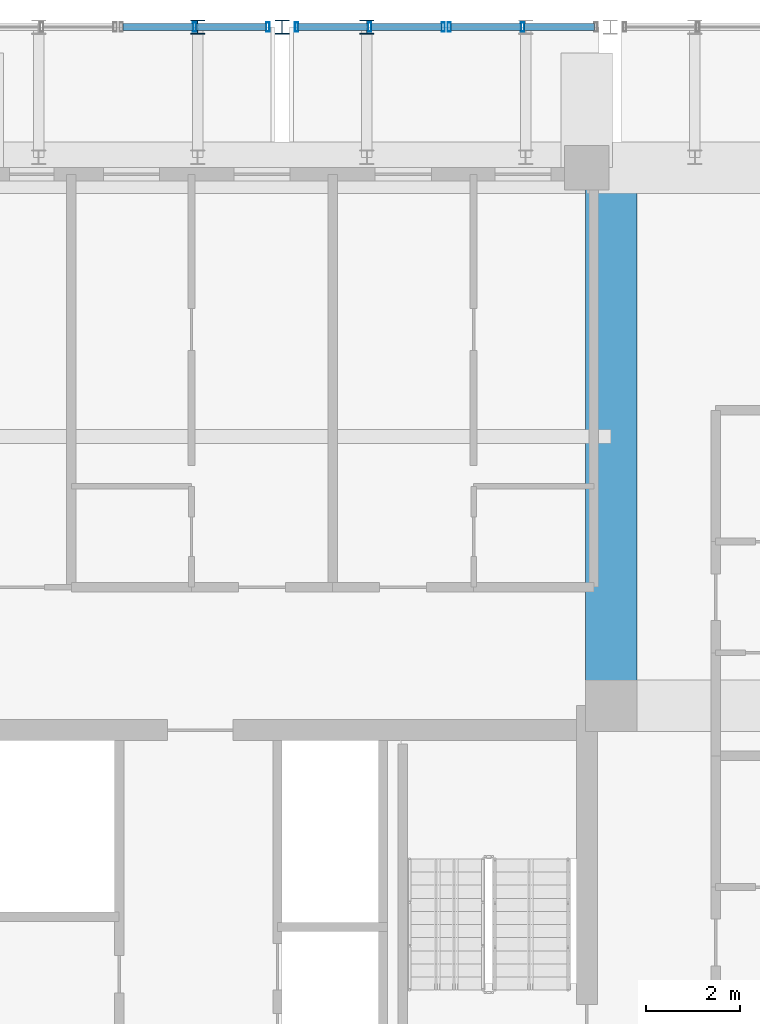
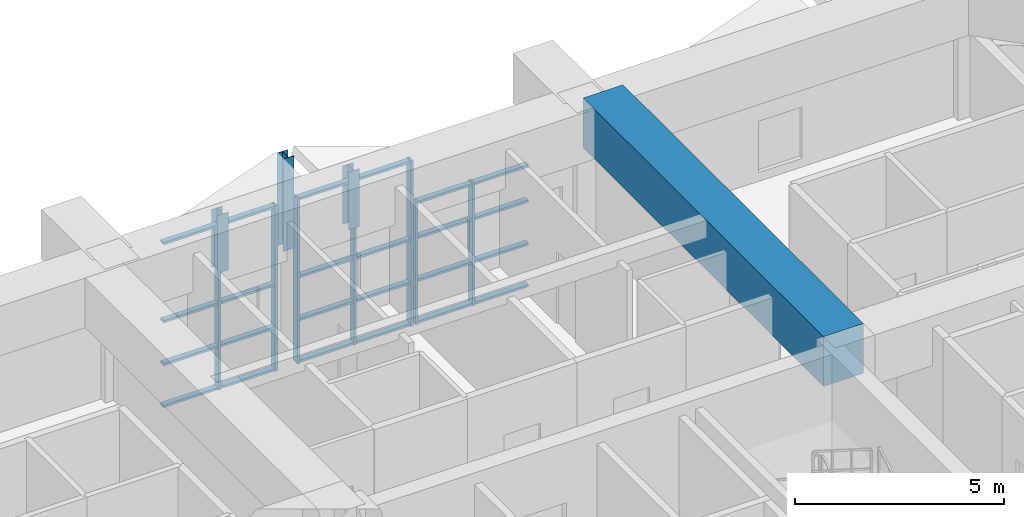
# One storey, part 24 of 45: 34 members, 1 beam, 3 elements without a shape of their own.
"""IFC4 building model written with IfcOpenShell, lengths in metres."""

import ifcopenshell
import ifcopenshell.guid

model = None  # the IFC model being written
_history = None  # IfcOwnerHistory: only IFC2X3 demands one
_inside = {}  # id of a spatial element -> (the spatial element, [elements in it])
_under = {}  # id of a project, library or spatial element -> (it, [spatial elements below it])
_declared = {}  # id of a project -> (the project, [libraries it declares])
_typed = {}  # id of a type object -> (the type object, [elements of that type])
_made_of = {}  # id of a material, layer set ... -> (it, [elements and type objects made of it])


def new_model(schema):
    """Start an empty IFC model of exactly this schema.

    Asked for "IFC4X3", IfcOpenShell would pick the latest addendum, in which some entities
    have other attributes; the version numbers below select the first issue.
    IFC2X3 requires an IfcOwnerHistory on every rooted entity: one is made here for all.
    """
    global model, _history
    if schema == "IFC4X3":
        model = ifcopenshell.file(schema_version=(4, 3, 0, 0))
    else:
        model = ifcopenshell.file(schema=schema)
    _inside.clear()
    _under.clear()
    _declared.clear()
    _typed.clear()
    _made_of.clear()
    _history = None
    if model.schema == "IFC2X3":
        org = make("IfcOrganization", Name="unknown")
        user = make(
            "IfcPersonAndOrganization",
            ThePerson=make("IfcPerson", FamilyName="unknown"),
            TheOrganization=org,
        )
        app = make(
            "IfcApplication",
            ApplicationDeveloper=org,
            Version="unknown",
            ApplicationFullName="unknown",
            ApplicationIdentifier="unknown",
        )
        _history = make(
            "IfcOwnerHistory",
            OwningUser=user,
            OwningApplication=app,
            ChangeAction="ADDED",
            CreationDate=0,
        )
    return model


def make(cls, **values):
    """One entity of the class cls with the attributes given. An attribute that is None is left unset."""
    return model.create_entity(
        cls, **{name: value for name, value in values.items() if value is not None}
    )


def rooted(cls, **values):
    """An entity with a GlobalId (a new one), such as an element, a storey or a relation."""
    return make(cls, GlobalId=ifcopenshell.guid.new(), OwnerHistory=_history, **values)


def si_unit(unit_type, name, prefix=None):
    """IfcSIUnit, for example si_unit("LENGTHUNIT", "METRE", prefix="MILLI")."""
    return make("IfcSIUnit", UnitType=unit_type, Prefix=prefix, Name=name)


def assignment(units):
    """IfcUnitAssignment: the units of a project."""
    return None if units is None else make("IfcUnitAssignment", Units=units)


def point(xyz):
    """IfcCartesianPoint."""
    return None if xyz is None else make("IfcCartesianPoint", Coordinates=xyz)


def direction(xyz):
    """IfcDirection."""
    return None if xyz is None else make("IfcDirection", DirectionRatios=xyz)


def frame(location, z_axis=None, x_axis=None):
    """IfcAxis2Placement3D, a coordinate frame: its origin and axes. An axis left out is left unset."""
    return make(
        "IfcAxis2Placement3D",
        Location=point(location),
        Axis=direction(z_axis),
        RefDirection=direction(x_axis),
    )


def frame_2d(location, x_axis=None):
    """IfcAxis2Placement2D, a coordinate frame in the plane: its origin and x axis."""
    return make(
        "IfcAxis2Placement2D", Location=point(location), RefDirection=direction(x_axis)
    )


def origin():
    """The frame at (0, 0, 0) with its axes left unset."""
    return frame((0.0, 0.0, 0.0))


def origin_2d():
    """The frame at (0, 0) in the plane with its x axis left unset."""
    return frame_2d((0.0, 0.0))


def place(relative_to, where):
    """IfcLocalPlacement: puts the frame where relative to a parent placement (None: the world)."""
    return make(
        "IfcLocalPlacement", PlacementRelTo=relative_to, RelativePlacement=where
    )


def context(
    kind, dimensions, precision=None, world=None, true_north=None, identifier=None
):
    """IfcGeometricRepresentationContext, for example the 3D "Model" context."""
    return make(
        "IfcGeometricRepresentationContext",
        ContextIdentifier=identifier,
        ContextType=kind,
        CoordinateSpaceDimension=dimensions,
        Precision=precision,
        WorldCoordinateSystem=world,
        TrueNorth=true_north,
    )


def subcontext(parent, identifier, kind, view, scale=None):
    """IfcGeometricRepresentationSubContext, for example "Body" below "Model"."""
    return make(
        "IfcGeometricRepresentationSubContext",
        ContextIdentifier=identifier,
        ContextType=kind,
        ParentContext=parent,
        TargetScale=scale,
        TargetView=view,
    )


def project(units=None, contexts=None):
    """IfcProject with its units and contexts."""
    return rooted(
        "IfcProject",
        Name="project",
        RepresentationContexts=contexts,
        UnitsInContext=assignment(units),
    )


def spatial(cls, under=None, at=None, **own):
    """A site, building, storey or space (cls), placed at a placement, below another one or the project."""
    s = rooted(cls, ObjectPlacement=at, **own)
    if under is not None:
        _under.setdefault(under.id(), (under, []))[1].append(s)
    return s


def profile(cls, at=None, kind="AREA", **sizes):
    """A parametric profile (cls). Its sizes go by their IFC names, for example OverallWidth=200.0."""
    return make(cls, ProfileType=kind, Position=at, **sizes)


def rectangle(**sizes):
    """IfcRectangleProfileDef."""
    return profile("IfcRectangleProfileDef", **sizes)


def hollow_rectangle(**sizes):
    """IfcRectangleHollowProfileDef."""
    return profile("IfcRectangleHollowProfileDef", **sizes)


def i_section(**sizes):
    """IfcIShapeProfileDef."""
    return profile("IfcIShapeProfileDef", **sizes)


def extrude(swept, where, along, depth):
    """IfcExtrudedAreaSolid: the profile swept, set in the frame where, extruded along a direction by depth."""
    return make(
        "IfcExtrudedAreaSolid",
        SweptArea=swept,
        Position=where,
        ExtrudedDirection=direction(along),
        Depth=depth,
    )


def shape(context_of_items, identifier, shape_type, items):
    """IfcShapeRepresentation: the items that make up one representation, for example the "Body"."""
    return make(
        "IfcShapeRepresentation",
        ContextOfItems=context_of_items,
        RepresentationIdentifier=identifier,
        RepresentationType=shape_type,
        Items=items,
    )


def source(mapping_origin, context_of_items, identifier, shape_type, items):
    """IfcRepresentationMap: a shape defined once, which mapped items show again and again."""
    return make(
        "IfcRepresentationMap",
        MappingOrigin=mapping_origin,
        MappedRepresentation=shape(context_of_items, identifier, shape_type, items),
    )


def transform(
    local_origin,
    x_axis=None,
    y_axis=None,
    z_axis=None,
    scale=None,
    scale2=None,
    scale3=None,
    uniform=True,
):
    """IfcCartesianTransformationOperator3D, or its non-uniform kind. x_axis, y_axis, z_axis: its Axis1, 2, 3."""
    if uniform:
        return make(
            "IfcCartesianTransformationOperator3D",
            Axis1=direction(x_axis),
            Axis2=direction(y_axis),
            LocalOrigin=point(local_origin),
            Scale=scale,
            Axis3=direction(z_axis),
        )
    return make(
        "IfcCartesianTransformationOperator3DnonUniform",
        Axis1=direction(x_axis),
        Axis2=direction(y_axis),
        LocalOrigin=point(local_origin),
        Scale=scale,
        Axis3=direction(z_axis),
        Scale2=scale2,
        Scale3=scale3,
    )


def mapped(mapping_source, mapping_target):
    """IfcMappedItem: shows the shape of a source again, moved by a transform."""
    return make(
        "IfcMappedItem", MappingSource=mapping_source, MappingTarget=mapping_target
    )


def material(Name=None, Category=None):
    """IfcMaterial."""
    return make("IfcMaterial", Name=Name, Category=Category)


def layer(
    of_material, thickness, ventilated=None, Name=None, Category=None, Priority=None
):
    """IfcMaterialLayer: one layer of a wall or slab, of a material (None: an air gap)."""
    return make(
        "IfcMaterialLayer",
        Material=of_material,
        LayerThickness=thickness,
        IsVentilated=ventilated,
        Name=Name,
        Category=Category,
        Priority=Priority,
    )


def layer_set(layers, Name=None):
    """IfcMaterialLayerSet."""
    return make("IfcMaterialLayerSet", MaterialLayers=layers, LayerSetName=Name)


def material_profile(
    of_material, cross_section, Name=None, Category=None, Priority=None
):
    """IfcMaterialProfile: a cross section and its material."""
    return make(
        "IfcMaterialProfile",
        Name=Name,
        Material=of_material,
        Profile=cross_section,
        Priority=Priority,
        Category=Category,
    )


def profile_set(profiles, Name=None, composite=None):
    """IfcMaterialProfileSet."""
    return make(
        "IfcMaterialProfileSet",
        Name=Name,
        MaterialProfiles=profiles,
        CompositeProfile=composite,
    )


def made_of(thing, what):
    """Note that an element or type object is made of a material, layer set ...; save() writes the relation."""
    if what is not None:
        _made_of.setdefault(what.id(), (what, []))[1].append(thing)
    return thing


def type_object(cls, material=None, **own):
    """A type object (cls), such as IfcWallType, which elements share."""
    return made_of(rooted(cls, **own), material)


def element(
    cls,
    number,
    at=None,
    inside=None,
    cuts=None,
    type_object=None,
    material=None,
    context=None,
    identifier="Body",
    shape_type=None,
    held_by="IfcProductDefinitionShape",
    body=None,
    shapes=None,
    **own,
):
    """One element of the class cls, such as IfcWall. Its Tag is "e" and its number.

    at: its placement. inside: the storey or other place that contains it. cuts: it is an
    opening in that element (IfcRelVoidsElement). A single representation is given by context,
    identifier, shape_type and body (its items); several are given by shapes. held_by: the class
    of the entity that holds the representations. save() writes the other relations.
    """
    e = rooted(cls, Tag="e%d" % number, ObjectPlacement=at, **own)
    if body is not None:
        shapes = [shape(context, identifier, shape_type, body)]
    if shapes is not None:
        e.Representation = make(held_by, Representations=shapes)
    if inside is not None:
        _inside.setdefault(inside.id(), (inside, []))[1].append(e)
    if cuts is not None:
        rooted(
            "IfcRelVoidsElement", RelatingBuildingElement=cuts, RelatedOpeningElement=e
        )
    if type_object is not None:
        _typed.setdefault(type_object.id(), (type_object, []))[1].append(e)
    return made_of(e, material)


def aggregate(whole, parts):
    """IfcRelAggregates: a whole, such as a stair, and the parts it consists of."""
    return rooted("IfcRelAggregates", RelatingObject=whole, RelatedObjects=parts)


def save(model, path):
    """Write the relations noted so far, then the file.

    IfcRelAggregates (storeys below a building ...), IfcRelContainedInSpatialStructure (elements
    in a storey), IfcRelDefinesByType, IfcRelAssociatesMaterial and IfcRelDeclares: one each for
    every whole, place, type object, material and project.
    """
    for whole, parts in _under.values():
        aggregate(whole, parts)
    for where, things in _inside.values():
        rooted(
            "IfcRelContainedInSpatialStructure",
            RelatedElements=things,
            RelatingStructure=where,
        )
    for kind, things in _typed.values():
        rooted("IfcRelDefinesByType", RelatedObjects=things, RelatingType=kind)
    for what, things in _made_of.values():
        rooted("IfcRelAssociatesMaterial", RelatedObjects=things, RelatingMaterial=what)
    for by, libraries in _declared.values():
        rooted("IfcRelDeclares", RelatingContext=by, RelatedDefinitions=libraries)
    model.write(path)


model = new_model("IFC4")

# Units and contexts
model_context = context("Model", 3, precision=1e-05, world=origin(), true_north=direction((0.0, 1.0)))
body_context = subcontext(model_context, "Body", "Model", "MODEL_VIEW")
ifc_project = project(units=[si_unit("LENGTHUNIT", "METRE"), si_unit("AREAUNIT", "SQUARE_METRE"), si_unit("VOLUMEUNIT", "CUBIC_METRE"), si_unit("PLANEANGLEUNIT", "RADIAN"), si_unit("MASSUNIT", "GRAM", prefix="KILO")], contexts=[model_context])

# Site, building, storey
site_placement = place(None, origin())
site = spatial("IfcSite", under=ifc_project, at=site_placement, CompositionType="ELEMENT")
building_placement = place(site_placement, origin())
building = spatial("IfcBuilding", under=site, at=building_placement, Name="Saelheon Loggia Tower", CompositionType="ELEMENT")
storey_placement = place(building_placement, frame((0.0, 0.0, 152.199951171875)))
storey = spatial("IfcBuildingStorey", under=building, at=storey_placement, Name="L48", CompositionType="ELEMENT", Elevation=152.199951171875)

# Members
ifc_material_1 = material(Name="Steel SM355", Category="steel")
ifc_material_profile_1 = material_profile(ifc_material_1, i_section(OverallWidth=0.300048828125, OverallDepth=0.300048828125, WebThickness=0.010009765625, FlangeThickness=0.014892578125, at=origin_2d()), Name="H-300x300x10x15")
ifc_profile_set_1 = profile_set([ifc_material_profile_1], Name="Steel SM355")
member_type_1 = type_object("IfcMemberType", Name="WaveCrest_Post_H300", PredefinedType="POST", material=ifc_profile_set_1)
shared_shape_1 = source(origin(), body_context, "Body", "SweptSolid", [
    extrude(i_section(OverallWidth=0.300048828125, OverallDepth=0.300048828125, WebThickness=0.010009765625, FlangeThickness=0.014892578125, at=origin_2d()), origin(), (0.0, 0.0, 1.0), 2.699951171875),
])
member_1_placement = place(storey_placement, frame((38.0, 51.0, 0.0), z_axis=(0.0, 0.0, 1.0), x_axis=(1.0, 0.0, 0.0)))
element("IfcMember", 1, at=member_1_placement, inside=storey, type_object=member_type_1, Name="Tier 1 Wave Crest Upper Post N 03", PredefinedType="POST", context=body_context, shape_type="MappedRepresentation", body=[
    mapped(shared_shape_1, transform((0.0, 0.0, 0.0), scale=1.0)),
])
shared_shape_2 = source(origin(), body_context, "Body", "SweptSolid", [
    extrude(i_section(OverallWidth=0.300048828125, OverallDepth=0.300048828125, WebThickness=0.010009765625, FlangeThickness=0.014892578125, at=origin_2d()), origin(), (0.0, 0.0, 1.0), 1.68701171875),
])
for number, where, z_axis, x_axis, name in (
    (2, (36.1953125, 51.0, 0.0), (0.0, 0.0, 1.0), (1.0, 0.0, 0.0), "Tier 1 Rafter Outer Upper Post N 03"),
    (3, (39.8046875, 51.0, 0.0), (0.0, 0.0, 1.0), (1.0, 0.0, 0.0), "Tier 1 Rafter Outer Upper Post N 04"),
):
    element("IfcMember", number, at=place(storey_placement, frame(where, z_axis=z_axis, x_axis=x_axis)), inside=storey, type_object=member_type_1, Name=name, PredefinedType="POST", context=body_context, shape_type="MappedRepresentation", body=[
        mapped(shared_shape_2, transform((0.0, 0.0, 0.0), scale=1.0)),
    ])

# Beam
ifc_material_2 = material(Name="Concrete C50/60", Category="concrete")
ifc_material_profile_2 = material_profile(ifc_material_2, rectangle(XDim=1.10009765625, YDim=1.449951171875, at=origin_2d()), Name="RC-1100x1450")
ifc_profile_set_2 = profile_set([ifc_material_profile_2], Name="Concrete C50/60")
beam_type = type_object("IfcBeamType", Name="Beam_Transfer_RC1100x1450", PredefinedType="BEAM", material=ifc_profile_set_2)
shared_shape_3 = source(origin(), body_context, "Body", "SweptSolid", [
    extrude(rectangle(XDim=1.10009765625, YDim=1.449951171875, at=origin_2d()), origin(), (0.0, 0.0, 1.0), 11.47998046875),
])
beam_placement = place(storey_placement, frame((45.02001953125, 36.52001953125, 3.175048828125), z_axis=(0.0, 1.0, 0.0), x_axis=(-1.0, 0.0, 0.0)))
element("IfcBeam", 4, at=beam_placement, inside=storey, type_object=beam_type, Name="L48 Radial Floor Girder RAD-NE-N", PredefinedType="BEAM", context=body_context, shape_type="MappedRepresentation", body=[
    mapped(shared_shape_3, transform((0.0, 0.0, 0.0), scale=1.0)),
])

# Curtain wall, members
ifc_material_3 = material(Name="Bronze-Anodised Aluminium and Fritted Ceramic Screen", Category="aluminium")
ifc_layer = layer(ifc_material_3, 0.219970703125)
ifc_layer_set = layer_set([ifc_layer], Name="Bronze-Anodised Aluminium and Fritted Ceramic Screen")
curtain_wall_type = type_object("IfcCurtainWallType", Name="CW_CrownScreen", PredefinedType="NOTDEFINED", material=ifc_layer_set)
curtain_wall_1_placement = place(storey_placement, origin())
curtain_wall_1 = element("IfcCurtainWall", 5, at=curtain_wall_1_placement, inside=storey, type_object=curtain_wall_type, Name="Tier 1 Wave Crest Glazing N 04-2", PredefinedType="NOTDEFINED")
ifc_material_4 = material(Name="Bronze-Anodised Aluminium 6063-T6", Category="aluminium")
ifc_material_profile_3 = material_profile(ifc_material_4, hollow_rectangle(XDim=0.070068359375, YDim=0.199951171875, WallThickness=0.0048828125, at=origin_2d()), Name="RHS-200x70x5")
ifc_profile_set_3 = profile_set([ifc_material_profile_3], Name="Bronze-Anodised Aluminium 6063-T6")
member_type_2 = type_object("IfcMemberType", Name="CW_CrownScreen_Mullion", PredefinedType="MULLION", material=ifc_profile_set_3)
shared_shape_4 = source(origin(), body_context, "Body", "SweptSolid", [
    extrude(hollow_rectangle(XDim=0.070068359375, YDim=0.199951171875, WallThickness=0.0048828125, at=origin_2d()), origin(), (0.0, 0.0, 1.0), 3.56005859375),
])
member_2_placement = place(storey_placement, frame((41.56494140625, 51.0, -3.449951171875), z_axis=(0.0, 0.0, 1.0), x_axis=(1.0, 0.0, 0.0)))
member_2 = element("IfcMember", 6, at=member_2_placement, type_object=member_type_2, Name="CW6 mullion 1", PredefinedType="MULLION", context=body_context, shape_type="MappedRepresentation", body=[
    mapped(shared_shape_4, transform((0.0, 0.0, 0.0), scale=1.0)),
])
member_3_placement = place(storey_placement, frame((43.1298828125, 51.0, -3.449951171875), z_axis=(0.0, 0.0, 1.0), x_axis=(1.0, 0.0, 0.0)))
member_3 = element("IfcMember", 7, at=member_3_placement, type_object=member_type_2, Name="CW6 mullion 2", PredefinedType="MULLION", context=body_context, shape_type="MappedRepresentation", body=[
    mapped(shared_shape_4, transform((0.0, 0.0, 0.0), scale=1.0)),
])

curtain_wall_2_placement = place(storey_placement, origin())
curtain_wall_2 = element("IfcCurtainWall", 8, at=curtain_wall_2_placement, inside=storey, type_object=curtain_wall_type, Name="Tier 1 Wave Crest Glazing N 03-2", PredefinedType="NOTDEFINED")
shared_shape_5 = source(origin(), body_context, "Body", "SweptSolid", [
    extrude(hollow_rectangle(XDim=0.070068359375, YDim=0.199951171875, WallThickness=0.0048828125, at=origin_2d()), origin(), (0.0, 0.0, 1.0), 4.81005859375),
])
member_4_placement = place(storey_placement, frame((36.1298828125, 51.0, -3.449951171875), z_axis=(0.0, 0.0, 1.0), x_axis=(1.0, 0.0, 0.0)))
member_4 = element("IfcMember", 9, at=member_4_placement, type_object=member_type_2, Name="CW6 mullion 2", PredefinedType="MULLION", context=body_context, shape_type="MappedRepresentation", body=[
    mapped(shared_shape_5, transform((0.0, 0.0, 0.0), scale=1.0)),
])
member_5_placement = place(storey_placement, frame((37.695068359375, 51.0, -3.449951171875), z_axis=(0.0, 0.0, 1.0), x_axis=(1.0, 0.0, 0.0)))
member_5 = element("IfcMember", 10, at=member_5_placement, type_object=member_type_2, Name="CW6 mullion 3", PredefinedType="MULLION", context=body_context, shape_type="MappedRepresentation", body=[
    mapped(shared_shape_5, transform((0.0, 0.0, 0.0), scale=1.0)),
])

curtain_wall_3_placement = place(storey_placement, origin())
curtain_wall_3 = element("IfcCurtainWall", 11, at=curtain_wall_3_placement, inside=storey, type_object=curtain_wall_type, Name="Tier 1 Wave Crest Glazing N 04-1", PredefinedType="NOTDEFINED")
member_6_placement = place(storey_placement, frame((38.304931640625, 51.0, -3.449951171875), z_axis=(0.0, 0.0, 1.0), x_axis=(1.0, 0.0, 0.0)))
member_6 = element("IfcMember", 12, at=member_6_placement, type_object=member_type_2, Name="CW6 mullion 1", PredefinedType="MULLION", context=body_context, shape_type="MappedRepresentation", body=[
    mapped(shared_shape_5, transform((0.0, 0.0, 0.0), scale=1.0)),
])
member_7_placement = place(storey_placement, frame((39.8701171875, 51.0, -3.449951171875), z_axis=(0.0, 0.0, 1.0), x_axis=(1.0, 0.0, 0.0)))
member_7 = element("IfcMember", 13, at=member_7_placement, type_object=member_type_2, Name="CW6 mullion 2", PredefinedType="MULLION", context=body_context, shape_type="MappedRepresentation", body=[
    mapped(shared_shape_5, transform((0.0, 0.0, 0.0), scale=1.0)),
])
member_8_placement = place(storey_placement, frame((41.43505859375, 51.0, -3.449951171875), z_axis=(0.0, 0.0, 1.0), x_axis=(1.0, 0.0, 0.0)))
member_8 = element("IfcMember", 14, at=member_8_placement, type_object=member_type_2, Name="CW6 mullion 3", PredefinedType="MULLION", context=body_context, shape_type="MappedRepresentation", body=[
    mapped(shared_shape_5, transform((0.0, 0.0, 0.0), scale=1.0)),
])

# Member
ifc_material_profile_4 = material_profile(ifc_material_4, hollow_rectangle(XDim=0.070068359375, YDim=0.14990234375, WallThickness=0.0048828125, at=origin_2d()), Name="RHS-150x70x5")
ifc_profile_set_4 = profile_set([ifc_material_profile_4], Name="Bronze-Anodised Aluminium 6063-T6")
member_type_3 = type_object("IfcMemberType", Name="CW_CrownScreen_Transom", PredefinedType="USERDEFINED", material=ifc_profile_set_4)
shared_shape_6 = source(origin(), body_context, "Body", "SweptSolid", [
    extrude(hollow_rectangle(XDim=0.070068359375, YDim=0.14990234375, WallThickness=0.0048828125, at=origin_2d()), origin(), (0.0, 0.0, 1.0), 1.494873046875),
])
member_9_placement = place(storey_placement, frame((34.60009765625, 51.0, -3.4150390625), z_axis=(1.0, 0.0, 0.0), x_axis=(0.0, 0.0, 1.0)))
member_9 = element("IfcMember", 15, at=member_9_placement, type_object=member_type_3, Name="CW6 transom 1.1", ObjectType="TRANSOM", PredefinedType="USERDEFINED", context=body_context, shape_type="MappedRepresentation", body=[
    mapped(shared_shape_6, transform((0.0, 0.0, 0.0), scale=1.0)),
])

member_10_placement = place(storey_placement, frame((34.60009765625, 51.0, -2.199951171875), z_axis=(1.0, 0.0, 0.0), x_axis=(0.0, 0.0, 1.0)))
member_10 = element("IfcMember", 16, at=member_10_placement, type_object=member_type_3, Name="CW6 transom 1.2", ObjectType="TRANSOM", PredefinedType="USERDEFINED", context=body_context, shape_type="MappedRepresentation", body=[
    mapped(shared_shape_6, transform((0.0, 0.0, 0.0), scale=1.0)),
])

member_11_placement = place(storey_placement, frame((34.60009765625, 51.0, -0.949951171875), z_axis=(1.0, 0.0, 0.0), x_axis=(0.0, 0.0, 1.0)))
member_11 = element("IfcMember", 17, at=member_11_placement, type_object=member_type_3, Name="CW6 transom 1.3", ObjectType="TRANSOM", PredefinedType="USERDEFINED", context=body_context, shape_type="MappedRepresentation", body=[
    mapped(shared_shape_6, transform((0.0, 0.0, 0.0), scale=1.0)),
])

member_12_placement = place(storey_placement, frame((34.60009765625, 51.0, 1.324951171875), z_axis=(1.0, 0.0, 0.0), x_axis=(0.0, 0.0, 1.0)))
member_12 = element("IfcMember", 18, at=member_12_placement, type_object=member_type_3, Name="CW6 transom 1.4", ObjectType="TRANSOM", PredefinedType="USERDEFINED", context=body_context, shape_type="MappedRepresentation", body=[
    mapped(shared_shape_6, transform((0.0, 0.0, 0.0), scale=1.0)),
])

member_13_placement = place(storey_placement, frame((36.1650390625, 51.0, -3.4150390625), z_axis=(1.0, 0.0, 0.0), x_axis=(0.0, 0.0, 1.0)))
member_13 = element("IfcMember", 19, at=member_13_placement, type_object=member_type_3, Name="CW6 transom 2.1", ObjectType="TRANSOM", PredefinedType="USERDEFINED", context=body_context, shape_type="MappedRepresentation", body=[
    mapped(shared_shape_6, transform((0.0, 0.0, 0.0), scale=1.0)),
])

member_14_placement = place(storey_placement, frame((36.1650390625, 51.0, -2.199951171875), z_axis=(1.0, 0.0, 0.0), x_axis=(0.0, 0.0, 1.0)))
member_14 = element("IfcMember", 20, at=member_14_placement, type_object=member_type_3, Name="CW6 transom 2.2", ObjectType="TRANSOM", PredefinedType="USERDEFINED", context=body_context, shape_type="MappedRepresentation", body=[
    mapped(shared_shape_6, transform((0.0, 0.0, 0.0), scale=1.0)),
])

member_15_placement = place(storey_placement, frame((36.1650390625, 51.0, -0.949951171875), z_axis=(1.0, 0.0, 0.0), x_axis=(0.0, 0.0, 1.0)))
member_15 = element("IfcMember", 21, at=member_15_placement, type_object=member_type_3, Name="CW6 transom 2.3", ObjectType="TRANSOM", PredefinedType="USERDEFINED", context=body_context, shape_type="MappedRepresentation", body=[
    mapped(shared_shape_6, transform((0.0, 0.0, 0.0), scale=1.0)),
])

member_16_placement = place(storey_placement, frame((36.1650390625, 51.0, 1.324951171875), z_axis=(1.0, 0.0, 0.0), x_axis=(0.0, 0.0, 1.0)))
member_16 = element("IfcMember", 22, at=member_16_placement, type_object=member_type_3, Name="CW6 transom 2.4", ObjectType="TRANSOM", PredefinedType="USERDEFINED", context=body_context, shape_type="MappedRepresentation", body=[
    mapped(shared_shape_6, transform((0.0, 0.0, 0.0), scale=1.0)),
])

aggregate(curtain_wall_2, [member_4, member_5, member_9, member_10, member_11, member_12, member_13, member_14, member_15, member_16])

member_17_placement = place(storey_placement, frame((38.340087890625, 51.0, -3.4150390625), z_axis=(1.0, 0.0, 0.0), x_axis=(0.0, 0.0, 1.0)))
member_17 = element("IfcMember", 23, at=member_17_placement, type_object=member_type_3, Name="CW6 transom 1.1", ObjectType="TRANSOM", PredefinedType="USERDEFINED", context=body_context, shape_type="MappedRepresentation", body=[
    mapped(shared_shape_6, transform((0.0, 0.0, 0.0), scale=1.0)),
])

member_18_placement = place(storey_placement, frame((38.340087890625, 51.0, -2.199951171875), z_axis=(1.0, 0.0, 0.0), x_axis=(0.0, 0.0, 1.0)))
member_18 = element("IfcMember", 24, at=member_18_placement, type_object=member_type_3, Name="CW6 transom 1.2", ObjectType="TRANSOM", PredefinedType="USERDEFINED", context=body_context, shape_type="MappedRepresentation", body=[
    mapped(shared_shape_6, transform((0.0, 0.0, 0.0), scale=1.0)),
])

member_19_placement = place(storey_placement, frame((38.340087890625, 51.0, -0.949951171875), z_axis=(1.0, 0.0, 0.0), x_axis=(0.0, 0.0, 1.0)))
member_19 = element("IfcMember", 25, at=member_19_placement, type_object=member_type_3, Name="CW6 transom 1.3", ObjectType="TRANSOM", PredefinedType="USERDEFINED", context=body_context, shape_type="MappedRepresentation", body=[
    mapped(shared_shape_6, transform((0.0, 0.0, 0.0), scale=1.0)),
])

member_20_placement = place(storey_placement, frame((38.340087890625, 51.0, 1.324951171875), z_axis=(1.0, 0.0, 0.0), x_axis=(0.0, 0.0, 1.0)))
member_20 = element("IfcMember", 26, at=member_20_placement, type_object=member_type_3, Name="CW6 transom 1.4", ObjectType="TRANSOM", PredefinedType="USERDEFINED", context=body_context, shape_type="MappedRepresentation", body=[
    mapped(shared_shape_6, transform((0.0, 0.0, 0.0), scale=1.0)),
])

member_21_placement = place(storey_placement, frame((39.905029296875, 51.0, -3.4150390625), z_axis=(1.0, 0.0, 0.0), x_axis=(0.0, 0.0, 1.0)))
member_21 = element("IfcMember", 27, at=member_21_placement, type_object=member_type_3, Name="CW6 transom 2.1", ObjectType="TRANSOM", PredefinedType="USERDEFINED", context=body_context, shape_type="MappedRepresentation", body=[
    mapped(shared_shape_6, transform((0.0, 0.0, 0.0), scale=1.0)),
])

member_22_placement = place(storey_placement, frame((39.905029296875, 51.0, -2.199951171875), z_axis=(1.0, 0.0, 0.0), x_axis=(0.0, 0.0, 1.0)))
member_22 = element("IfcMember", 28, at=member_22_placement, type_object=member_type_3, Name="CW6 transom 2.2", ObjectType="TRANSOM", PredefinedType="USERDEFINED", context=body_context, shape_type="MappedRepresentation", body=[
    mapped(shared_shape_6, transform((0.0, 0.0, 0.0), scale=1.0)),
])

member_23_placement = place(storey_placement, frame((39.905029296875, 51.0, -0.949951171875), z_axis=(1.0, 0.0, 0.0), x_axis=(0.0, 0.0, 1.0)))
member_23 = element("IfcMember", 29, at=member_23_placement, type_object=member_type_3, Name="CW6 transom 2.3", ObjectType="TRANSOM", PredefinedType="USERDEFINED", context=body_context, shape_type="MappedRepresentation", body=[
    mapped(shared_shape_6, transform((0.0, 0.0, 0.0), scale=1.0)),
])

member_24_placement = place(storey_placement, frame((39.905029296875, 51.0, 1.324951171875), z_axis=(1.0, 0.0, 0.0), x_axis=(0.0, 0.0, 1.0)))
member_24 = element("IfcMember", 30, at=member_24_placement, type_object=member_type_3, Name="CW6 transom 2.4", ObjectType="TRANSOM", PredefinedType="USERDEFINED", context=body_context, shape_type="MappedRepresentation", body=[
    mapped(shared_shape_6, transform((0.0, 0.0, 0.0), scale=1.0)),
])

aggregate(curtain_wall_3, [member_6, member_7, member_8, member_17, member_18, member_19, member_20, member_21, member_22, member_23, member_24])

member_25_placement = place(storey_placement, frame((41.60009765625, 51.0, -3.4150390625), z_axis=(1.0, 0.0, 0.0), x_axis=(0.0, 0.0, 1.0)))
member_25 = element("IfcMember", 31, at=member_25_placement, type_object=member_type_3, Name="CW6 transom 1.1", ObjectType="TRANSOM", PredefinedType="USERDEFINED", context=body_context, shape_type="MappedRepresentation", body=[
    mapped(shared_shape_6, transform((0.0, 0.0, 0.0), scale=1.0)),
])

member_26_placement = place(storey_placement, frame((41.60009765625, 51.0, -2.199951171875), z_axis=(1.0, 0.0, 0.0), x_axis=(0.0, 0.0, 1.0)))
member_26 = element("IfcMember", 32, at=member_26_placement, type_object=member_type_3, Name="CW6 transom 1.2", ObjectType="TRANSOM", PredefinedType="USERDEFINED", context=body_context, shape_type="MappedRepresentation", body=[
    mapped(shared_shape_6, transform((0.0, 0.0, 0.0), scale=1.0)),
])

member_27_placement = place(storey_placement, frame((41.60009765625, 51.0, -0.949951171875), z_axis=(1.0, 0.0, 0.0), x_axis=(0.0, 0.0, 1.0)))
member_27 = element("IfcMember", 33, at=member_27_placement, type_object=member_type_3, Name="CW6 transom 1.3", ObjectType="TRANSOM", PredefinedType="USERDEFINED", context=body_context, shape_type="MappedRepresentation", body=[
    mapped(shared_shape_6, transform((0.0, 0.0, 0.0), scale=1.0)),
])

member_28_placement = place(storey_placement, frame((41.60009765625, 51.0, 0.074951171875), z_axis=(1.0, 0.0, 0.0), x_axis=(0.0, 0.0, 1.0)))
member_28 = element("IfcMember", 34, at=member_28_placement, type_object=member_type_3, Name="CW6 transom 1.4", ObjectType="TRANSOM", PredefinedType="USERDEFINED", context=body_context, shape_type="MappedRepresentation", body=[
    mapped(shared_shape_6, transform((0.0, 0.0, 0.0), scale=1.0)),
])

member_29_placement = place(storey_placement, frame((43.1650390625, 51.0, -3.4150390625), z_axis=(1.0, 0.0, 0.0), x_axis=(0.0, 0.0, 1.0)))
member_29 = element("IfcMember", 35, at=member_29_placement, type_object=member_type_3, Name="CW6 transom 2.1", ObjectType="TRANSOM", PredefinedType="USERDEFINED", context=body_context, shape_type="MappedRepresentation", body=[
    mapped(shared_shape_6, transform((0.0, 0.0, 0.0), scale=1.0)),
])

member_30_placement = place(storey_placement, frame((43.1650390625, 51.0, -2.199951171875), z_axis=(1.0, 0.0, 0.0), x_axis=(0.0, 0.0, 1.0)))
member_30 = element("IfcMember", 36, at=member_30_placement, type_object=member_type_3, Name="CW6 transom 2.2", ObjectType="TRANSOM", PredefinedType="USERDEFINED", context=body_context, shape_type="MappedRepresentation", body=[
    mapped(shared_shape_6, transform((0.0, 0.0, 0.0), scale=1.0)),
])

member_31_placement = place(storey_placement, frame((43.1650390625, 51.0, -0.949951171875), z_axis=(1.0, 0.0, 0.0), x_axis=(0.0, 0.0, 1.0)))
member_31 = element("IfcMember", 37, at=member_31_placement, type_object=member_type_3, Name="CW6 transom 2.3", ObjectType="TRANSOM", PredefinedType="USERDEFINED", context=body_context, shape_type="MappedRepresentation", body=[
    mapped(shared_shape_6, transform((0.0, 0.0, 0.0), scale=1.0)),
])

member_32_placement = place(storey_placement, frame((43.1650390625, 51.0, 0.074951171875), z_axis=(1.0, 0.0, 0.0), x_axis=(0.0, 0.0, 1.0)))
member_32 = element("IfcMember", 38, at=member_32_placement, type_object=member_type_3, Name="CW6 transom 2.4", ObjectType="TRANSOM", PredefinedType="USERDEFINED", context=body_context, shape_type="MappedRepresentation", body=[
    mapped(shared_shape_6, transform((0.0, 0.0, 0.0), scale=1.0)),
])

aggregate(curtain_wall_1, [member_2, member_3, member_25, member_26, member_27, member_28, member_29, member_30, member_31, member_32])

save(model, "model.ifc")
